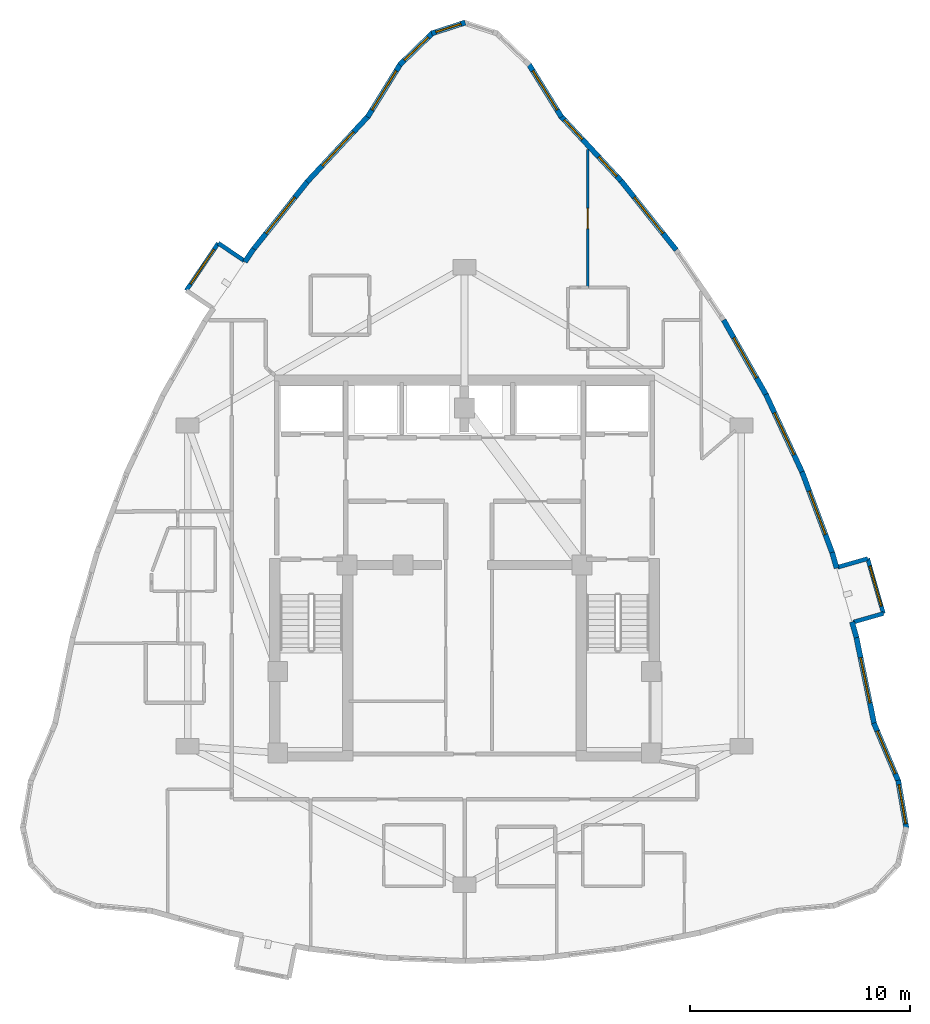
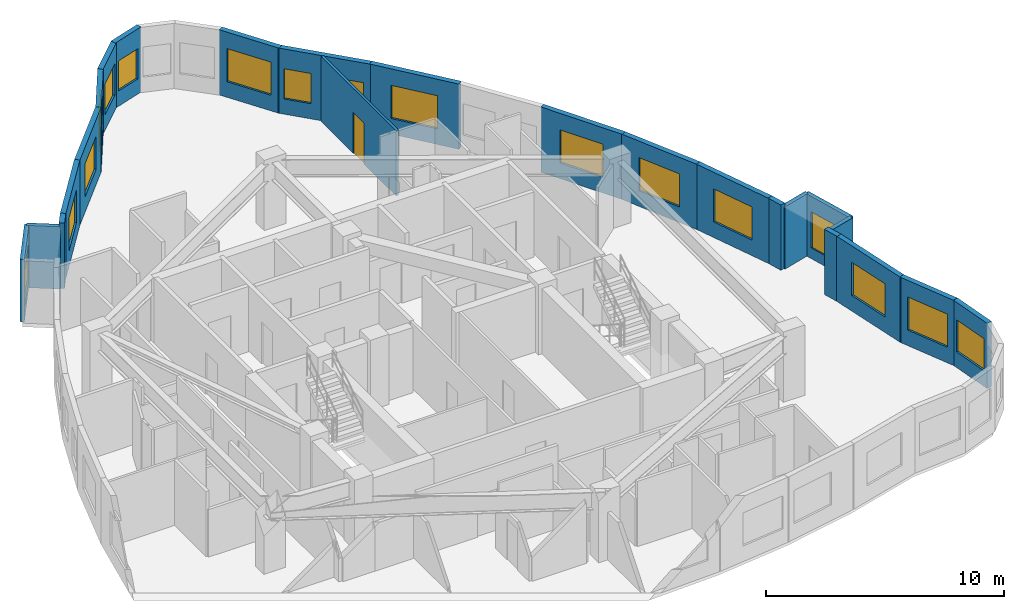
# One storey, part 11 of 13: 23 walls, 17 windows, 1 door, 18 openings.
"""IFC4 building model written with IfcOpenShell, lengths in metres."""

from ifc_helpers import new_model, si_unit, direction, frame, frame_2d, origin, place, context, subcontext, project, spatial, rectangle, extrude, material, layer, layer_set, type_object, element, fill, save


model = new_model("IFC4")

# Units and contexts
model_context = context("Model", 3, precision=1e-05, world=origin(), true_north=direction((0.0, 1.0)))
body_context = subcontext(model_context, "Body", "Model", "MODEL_VIEW")
ifc_project = project(units=[si_unit("LENGTHUNIT", "METRE"), si_unit("AREAUNIT", "SQUARE_METRE"), si_unit("VOLUMEUNIT", "CUBIC_METRE"), si_unit("PLANEANGLEUNIT", "RADIAN"), si_unit("MASSUNIT", "GRAM", prefix="KILO")], contexts=[model_context])

# Site, building, storey
site_placement = place(None, origin())
site = spatial("IfcSite", under=ifc_project, at=site_placement, CompositionType="ELEMENT")
building_placement = place(site_placement, origin())
building = spatial("IfcBuilding", under=site, at=building_placement, Name="Miruveldt Soraemaru", CompositionType="ELEMENT")
storey_placement = place(building_placement, frame((0.0, 0.0, 205.199951171875)))
storey = spatial("IfcBuildingStorey", under=building, at=storey_placement, Name="L56", CompositionType="ELEMENT", Elevation=205.199951171875)

# Wall
ifc_material_1 = material(Name="White powder-coated aluminium EN AW-6060 T6", Category="aluminium")
ifc_layer_1 = layer(ifc_material_1, 0.18994140625, Name="White powder-coated aluminium EN AW-6060 T6", Category="aluminium")
ifc_layer_set_1 = layer_set([ifc_layer_1], Name="White powder-coated aluminium EN AW-6060 T6")
wall_type_1 = type_object("IfcWallType", Name="WALL-BAY-ALU190", PredefinedType="SOLIDWALL", material=ifc_layer_set_1)
wall_1_placement = place(storey_placement, frame((33.971435546875, 57.900146484375, 0.0), z_axis=(0.0, 0.0, 1.0), x_axis=(-0.827916124573, 0.56085193293, 0.0)))
element("IfcWall", 1, at=wall_1_placement, inside=storey, type_object=wall_type_1, Name="L56 Bay Window Side Cheek 1L", PredefinedType="SOLIDWALL", context=body_context, shape_type="SweptSolid", body=[
    extrude(rectangle(XDim=1.42529296875, YDim=0.18994140625, at=frame_2d((0.712646484375, 0.0))), origin(), (0.0, 0.0, 1.0), 3.195068359375),
])

# Wall, opening, window
wall_2_placement = place(storey_placement, frame((32.79150390625, 58.699462890625, 0.0), z_axis=(0.0, 0.0, 1.0), x_axis=(-0.560839839126, -0.827924317102, 0.0)))
wall_2 = element("IfcWall", 2, at=wall_2_placement, inside=storey, type_object=wall_type_1, Name="L56 Bay Window Front Frame 1", PredefinedType="SOLIDWALL", context=body_context, shape_type="SweptSolid", body=[
    extrude(rectangle(XDim=2.599609375, YDim=0.18994140625, at=frame_2d((1.2998046875, 0.0))), origin(), (0.0, 0.0, 1.0), 3.195068359375),
])
opening_1_placement = place(wall_2_placement, frame((0.35009765625, 0.0, 0.550048828125)))
opening_1 = element("IfcOpeningElement", 3, at=opening_1_placement, cuts=wall_2, Name="Opening WN-6", PredefinedType="OPENING", context=body_context, shape_type="SweptSolid", body=[
    extrude(rectangle(XDim=1.89990234375, YDim=1.85009765625, at=frame_2d((0.949951171875, 0.925048828125))), frame((0.0, 0.10498046875, 0.0), z_axis=(0.0, -1.0, 0.0), x_axis=(1.0, 0.0, 0.0)), (0.0, 0.0, 1.0), 0.2099609375),
])
ifc_material_2 = material(Name="Triple low-e insulated glazing", Category="glass")
window_type_1 = type_object("IfcWindowType", Name="WIN-BAYW-1900x1850", PartitioningType="SINGLE_PANEL", PredefinedType="WINDOW", material=ifc_material_2)
window_1_placement = place(opening_1_placement, origin())
window_1 = element("IfcWindow", 4, at=window_1_placement, inside=storey, type_object=window_type_1, Name="L56 Projecting Bay Window 1", OverallHeight=1.85009765625, OverallWidth=1.89990234375, PartitioningType="SINGLE_PANEL", PredefinedType="WINDOW", context=body_context, shape_type="SweptSolid", body=[
    extrude(rectangle(XDim=1.89990234375, YDim=1.85009765625, at=frame_2d((0.949951171875, 0.925048828125))), frame((0.0, 0.030029296875, 0.0), z_axis=(0.0, -1.0, 0.0), x_axis=(1.0, 0.0, 0.0)), (0.0, 0.0, 1.0), 0.06005859375),
])
fill(opening_1, window_1)

# Walls
wall_3_placement = place(storey_placement, frame((61.69482421875, 41.451416015625, 0.0), z_axis=(0.0, 0.0, 1.0), x_axis=(0.961439844578, 0.275015318223, 0.0)))
element("IfcWall", 5, at=wall_3_placement, inside=storey, type_object=wall_type_1, Name="L56 Bay Window Side Cheek 3L", PredefinedType="SOLIDWALL", context=body_context, shape_type="SweptSolid", body=[
    extrude(rectangle(XDim=1.4248046875, YDim=0.18994140625, at=frame_2d((0.71240234375, 0.0))), origin(), (0.0, 0.0, 1.0), 3.195068359375),
])
wall_4_placement = place(storey_placement, frame((62.349853515625, 44.343017578125, 0.0), z_axis=(0.0, 0.0, 1.0), x_axis=(-0.961452801096, -0.274970018845, 0.0)))
element("IfcWall", 6, at=wall_4_placement, inside=storey, type_object=wall_type_1, Name="L56 Bay Window Side Cheek 3R", PredefinedType="SOLIDWALL", context=body_context, shape_type="SweptSolid", body=[
    extrude(rectangle(XDim=1.425048828125, YDim=0.18994140625, at=frame_2d((0.71240234375, 0.0))), origin(), (0.0, 0.0, 1.0), 3.195068359375),
])

# Wall, opening, window
wall_5_placement = place(storey_placement, frame((63.064697265625, 41.84326171875, 0.0), z_axis=(0.0, 0.0, 1.0), x_axis=(-0.274944358644, 0.961460139397, 0.0)))
wall_5 = element("IfcWall", 7, at=wall_5_placement, inside=storey, type_object=wall_type_1, Name="L56 Bay Window Front Frame 3", PredefinedType="SOLIDWALL", context=body_context, shape_type="SweptSolid", body=[
    extrude(rectangle(XDim=2.599853515625, YDim=0.18994140625, at=frame_2d((1.2998046875, 0.0))), origin(), (0.0, 0.0, 1.0), 3.195068359375),
])
opening_2_placement = place(wall_5_placement, frame((0.35009765625, 0.0, 0.550048828125)))
opening_2 = element("IfcOpeningElement", 8, at=opening_2_placement, cuts=wall_5, Name="Opening WN-6", PredefinedType="OPENING", context=body_context, shape_type="SweptSolid", body=[
    extrude(rectangle(XDim=1.89990234375, YDim=1.85009765625, at=frame_2d((0.949951171875, 0.925048828125))), frame((0.0, 0.10498046875, 0.0), z_axis=(0.0, -1.0, 0.0), x_axis=(1.0, 0.0, 0.0)), (0.0, 0.0, 1.0), 0.2099609375),
])
window_2_placement = place(opening_2_placement, origin())
window_2 = element("IfcWindow", 9, at=window_2_placement, inside=storey, type_object=window_type_1, Name="L56 Projecting Bay Window 3", OverallHeight=1.85009765625, OverallWidth=1.89990234375, PartitioningType="SINGLE_PANEL", PredefinedType="WINDOW", context=body_context, shape_type="SweptSolid", body=[
    extrude(rectangle(XDim=1.89990234375, YDim=1.85009765625, at=frame_2d((0.949951171875, 0.925048828125))), frame((0.0, 0.030029296875, 0.0), z_axis=(0.0, -1.0, 0.0), x_axis=(1.0, 0.0, 0.0)), (0.0, 0.0, 1.0), 0.06005859375),
])
fill(opening_2, window_2)

ifc_material_3 = material(Name="Precast concrete C45/55 (45 MPa)", Category="concrete")
ifc_layer_2 = layer(ifc_material_3, 0.239990234375, Name="Precast concrete C45/55 (45 MPa)", Category="concrete")
ifc_layer_set_2 = layer_set([ifc_layer_2], Name="Precast concrete C45/55 (45 MPa)")
wall_type_2 = type_object("IfcWallType", Name="WALL-EXT-PC240", PredefinedType="SOLIDWALL", material=ifc_layer_set_2)
wall_6_placement = place(storey_placement, frame((48.411376953125, 64.440185546875, 0.0), z_axis=(0.0, 0.0, 1.0), x_axis=(-0.526024676953, 0.850469305288, 0.0)))
wall_6 = element("IfcWall", 10, at=wall_6_placement, inside=storey, type_object=wall_type_2, Name="L56 Precast Concrete Facade Wall 1", PredefinedType="SOLIDWALL", context=body_context, shape_type="SweptSolid", body=[
    extrude(rectangle(XDim=2.853515625, YDim=0.239990234375, at=frame_2d((1.4267578125, 0.0))), origin(), (0.0, 0.0, 1.0), 3.344970703125),
])
opening_3_placement = place(wall_6_placement, frame((0.376953125, 0.0, 0.800048828125)))
opening_3 = element("IfcOpeningElement", 11, at=opening_3_placement, cuts=wall_6, Name="Opening WN-1", PredefinedType="OPENING", context=body_context, shape_type="SweptSolid", body=[
    extrude(rectangle(XDim=2.10009765625, YDim=1.699951171875, at=frame_2d((1.050048828125, 0.85009765625))), frame((0.0, 0.1298828125, 0.0), z_axis=(0.0, -1.0, 0.0), x_axis=(1.0, 0.0, 0.0)), (0.0, 0.0, 1.0), 0.260009765625),
])
window_type_2 = type_object("IfcWindowType", Name="WIN-PUNCH-2100x1700", PartitioningType="SINGLE_PANEL", PredefinedType="WINDOW", material=ifc_material_2)
window_3_placement = place(opening_3_placement, origin())
window_3 = element("IfcWindow", 12, at=window_3_placement, inside=storey, type_object=window_type_2, Name="L56 Punched Triple-Glazed Window 01.1", OverallHeight=1.699951171875, OverallWidth=2.10009765625, PartitioningType="SINGLE_PANEL", PredefinedType="WINDOW", context=body_context, shape_type="SweptSolid", body=[
    extrude(rectangle(XDim=2.10009765625, YDim=1.699951171875, at=frame_2d((1.050048828125, 0.85009765625))), frame((0.0, 0.030029296875, 0.0), z_axis=(0.0, -1.0, 0.0), x_axis=(1.0, 0.0, 0.0)), (0.0, 0.0, 1.0), 0.06005859375),
])
fill(opening_3, window_3)

wall_7_placement = place(storey_placement, frame((44.033203125, 68.74169921875, 0.0), z_axis=(0.0, 0.0, 1.0), x_axis=(-0.951512470803, -0.307610171981, 0.0)))
wall_7 = element("IfcWall", 13, at=wall_7_placement, inside=storey, type_object=wall_type_2, Name="L56 Precast Concrete Facade Wall 4", PredefinedType="SOLIDWALL", context=body_context, shape_type="SweptSolid", body=[
    extrude(rectangle(XDim=1.60888671875, YDim=0.239990234375, at=frame_2d((0.804443359375, 0.0))), origin(), (0.0, 0.0, 1.0), 3.344970703125),
])
opening_4_placement = place(wall_7_placement, frame((0.205078125, 0.0, 0.780029296875)))
opening_4 = element("IfcOpeningElement", 14, at=opening_4_placement, cuts=wall_7, Name="Opening WN-4", PredefinedType="OPENING", context=body_context, shape_type="SweptSolid", body=[
    extrude(rectangle(XDim=1.199951171875, YDim=1.550048828125, at=frame_2d((0.60009765625, 0.77490234375))), frame((0.0, 0.1298828125, 0.0), z_axis=(0.0, -1.0, 0.0), x_axis=(1.0, 0.0, 0.0)), (0.0, 0.0, 1.0), 0.260009765625),
])
window_type_3 = type_object("IfcWindowType", Name="WIN-PUNCH-1200x1550", PartitioningType="SINGLE_PANEL", PredefinedType="WINDOW", material=ifc_material_2)
window_4_placement = place(opening_4_placement, origin())
window_4 = element("IfcWindow", 15, at=window_4_placement, inside=storey, type_object=window_type_3, Name="L56 Punched Triple-Glazed Window 04.1", OverallHeight=1.550048828125, OverallWidth=1.199951171875, PartitioningType="SINGLE_PANEL", PredefinedType="WINDOW", context=body_context, shape_type="SweptSolid", body=[
    extrude(rectangle(XDim=1.199951171875, YDim=1.550048828125, at=frame_2d((0.60009765625, 0.77490234375))), frame((0.0, 0.030029296875, 0.0), z_axis=(0.0, -1.0, 0.0), x_axis=(1.0, 0.0, 0.0)), (0.0, 0.0, 1.0), 0.06005859375),
])
fill(opening_4, window_4)

wall_8_placement = place(storey_placement, frame((42.560791015625, 68.281982421875, 0.0), z_axis=(0.0, 0.0, 1.0), x_axis=(-0.717784741211, -0.696265082626, 0.0)))
wall_8 = element("IfcWall", 16, at=wall_8_placement, inside=storey, type_object=wall_type_2, Name="L56 Precast Concrete Facade Wall 5", PredefinedType="SOLIDWALL", context=body_context, shape_type="SweptSolid", body=[
    extrude(rectangle(XDim=2.110107421875, YDim=0.239990234375, at=frame_2d((1.05517578125, 0.0))), origin(), (0.0, 0.0, 1.0), 3.344970703125),
])
opening_5_placement = place(wall_8_placement, frame((0.304931640625, 0.0, 0.800048828125)))
opening_5 = element("IfcOpeningElement", 17, at=opening_5_placement, cuts=wall_8, Name="Opening WN-3", PredefinedType="OPENING", context=body_context, shape_type="SweptSolid", body=[
    extrude(rectangle(XDim=1.5, YDim=1.60009765625, at=frame_2d((0.75, 0.800048828125))), frame((0.0, 0.1298828125, 0.0), z_axis=(0.0, -1.0, 0.0), x_axis=(1.0, 0.0, 0.0)), (0.0, 0.0, 1.0), 0.260009765625),
])
window_type_4 = type_object("IfcWindowType", Name="WIN-PUNCH-1500x1600", PartitioningType="SINGLE_PANEL", PredefinedType="WINDOW", material=ifc_material_2)
window_5_placement = place(opening_5_placement, origin())
window_5 = element("IfcWindow", 18, at=window_5_placement, inside=storey, type_object=window_type_4, Name="L56 Punched Triple-Glazed Window 05.1", OverallHeight=1.60009765625, OverallWidth=1.5, PartitioningType="SINGLE_PANEL", PredefinedType="WINDOW", context=body_context, shape_type="SweptSolid", body=[
    extrude(rectangle(XDim=1.5, YDim=1.60009765625, at=frame_2d((0.75, 0.800048828125))), frame((0.0, 0.030029296875, 0.0), z_axis=(0.0, -1.0, 0.0), x_axis=(1.0, 0.0, 0.0)), (0.0, 0.0, 1.0), 0.06005859375),
])
fill(opening_5, window_5)

wall_9_placement = place(storey_placement, frame((41.089599609375, 66.866943359375, 0.0), z_axis=(0.0, 0.0, 1.0), x_axis=(-0.526024676953, -0.850469305288, 0.0)))
wall_9 = element("IfcWall", 19, at=wall_9_placement, inside=storey, type_object=wall_type_2, Name="L56 Precast Concrete Facade Wall 6", PredefinedType="SOLIDWALL", context=body_context, shape_type="SweptSolid", body=[
    extrude(rectangle(XDim=2.853515625, YDim=0.239990234375, at=frame_2d((1.4267578125, 0.0))), origin(), (0.0, 0.0, 1.0), 3.344970703125),
])
opening_6_placement = place(wall_9_placement, frame((0.376953125, 0.0, 0.800048828125)))
opening_6 = element("IfcOpeningElement", 20, at=opening_6_placement, cuts=wall_9, Name="Opening WN-1", PredefinedType="OPENING", context=body_context, shape_type="SweptSolid", body=[
    extrude(rectangle(XDim=2.10009765625, YDim=1.699951171875, at=frame_2d((1.050048828125, 0.85009765625))), frame((0.0, 0.1298828125, 0.0), z_axis=(0.0, -1.0, 0.0), x_axis=(1.0, 0.0, 0.0)), (0.0, 0.0, 1.0), 0.260009765625),
])
window_6_placement = place(opening_6_placement, origin())
window_6 = element("IfcWindow", 21, at=window_6_placement, inside=storey, type_object=window_type_2, Name="L56 Punched Triple-Glazed Window 06.1", OverallHeight=1.699951171875, OverallWidth=2.10009765625, PartitioningType="SINGLE_PANEL", PredefinedType="WINDOW", context=body_context, shape_type="SweptSolid", body=[
    extrude(rectangle(XDim=2.10009765625, YDim=1.699951171875, at=frame_2d((1.050048828125, 0.85009765625))), frame((0.0, 0.030029296875, 0.0), z_axis=(0.0, -1.0, 0.0), x_axis=(1.0, 0.0, 0.0)), (0.0, 0.0, 1.0), 0.06005859375),
])
fill(opening_6, window_6)

wall_10_placement = place(storey_placement, frame((39.630859375, 64.49560546875, 0.0), z_axis=(0.0, 0.0, 1.0), x_axis=(-0.68089787868, -0.732378371341, 0.0)))
wall_10 = element("IfcWall", 22, at=wall_10_placement, inside=storey, type_object=wall_type_2, Name="L56 Precast Concrete Facade Wall 7", PredefinedType="SOLIDWALL", context=body_context, shape_type="SweptSolid", body=[
    extrude(rectangle(XDim=4.10693359375, YDim=0.239990234375, at=frame_2d((2.053466796875, 0.0))), origin(), (0.0, 0.0, 1.0), 3.344970703125),
])
opening_7_placement = place(wall_10_placement, frame((1.00390625, 0.0, 0.800048828125)))
opening_7 = element("IfcOpeningElement", 23, at=opening_7_placement, cuts=wall_10, Name="Opening WN-1", PredefinedType="OPENING", context=body_context, shape_type="SweptSolid", body=[
    extrude(rectangle(XDim=2.10009765625, YDim=1.699951171875, at=frame_2d((1.050048828125, 0.85009765625))), frame((0.0, 0.1298828125, 0.0), z_axis=(0.0, -1.0, 0.0), x_axis=(1.0, 0.0, 0.0)), (0.0, 0.0, 1.0), 0.260009765625),
])
window_7_placement = place(opening_7_placement, origin())
window_7 = element("IfcWindow", 24, at=window_7_placement, inside=storey, type_object=window_type_2, Name="L56 Punched Triple-Glazed Window 07.1", OverallHeight=1.699951171875, OverallWidth=2.10009765625, PartitioningType="SINGLE_PANEL", PredefinedType="WINDOW", context=body_context, shape_type="SweptSolid", body=[
    extrude(rectangle(XDim=2.10009765625, YDim=1.699951171875, at=frame_2d((1.050048828125, 0.85009765625))), frame((0.0, 0.030029296875, 0.0), z_axis=(0.0, -1.0, 0.0), x_axis=(1.0, 0.0, 0.0)), (0.0, 0.0, 1.0), 0.06005859375),
])
fill(opening_7, window_7)

wall_11_placement = place(storey_placement, frame((36.8798828125, 61.540771484375, 0.0), z_axis=(0.0, 0.0, 1.0), x_axis=(-0.623580098118, -0.781759465073, 0.0)))
wall_11 = element("IfcWall", 25, at=wall_11_placement, inside=storey, type_object=wall_type_2, Name="L56 Precast Concrete Facade Wall 8", PredefinedType="SOLIDWALL", context=body_context, shape_type="SweptSolid", body=[
    extrude(rectangle(XDim=4.03466796875, YDim=0.239990234375, at=frame_2d((2.017333984375, 0.0))), origin(), (0.0, 0.0, 1.0), 3.344970703125),
])
opening_8_placement = place(wall_11_placement, frame((0.968017578125, 0.0, 0.800048828125)))
opening_8 = element("IfcOpeningElement", 26, at=opening_8_placement, cuts=wall_11, Name="Opening WN-1", PredefinedType="OPENING", context=body_context, shape_type="SweptSolid", body=[
    extrude(rectangle(XDim=2.10009765625, YDim=1.699951171875, at=frame_2d((1.050048828125, 0.85009765625))), frame((0.0, 0.1298828125, 0.0), z_axis=(0.0, -1.0, 0.0), x_axis=(1.0, 0.0, 0.0)), (0.0, 0.0, 1.0), 0.260009765625),
])
window_8_placement = place(opening_8_placement, origin())
window_8 = element("IfcWindow", 27, at=window_8_placement, inside=storey, type_object=window_type_2, Name="L56 Punched Triple-Glazed Window 08.1", OverallHeight=1.699951171875, OverallWidth=2.10009765625, PartitioningType="SINGLE_PANEL", PredefinedType="WINDOW", context=body_context, shape_type="SweptSolid", body=[
    extrude(rectangle(XDim=2.10009765625, YDim=1.699951171875, at=frame_2d((1.050048828125, 0.85009765625))), frame((0.0, 0.030029296875, 0.0), z_axis=(0.0, -1.0, 0.0), x_axis=(1.0, 0.0, 0.0)), (0.0, 0.0, 1.0), 0.06005859375),
])
fill(opening_8, window_8)

# Wall
wall_12_placement = place(storey_placement, frame((34.405517578125, 58.443115234375, 0.0), z_axis=(0.0, 0.0, 1.0), x_axis=(-0.560840679223, -0.827923748016, 0.0)))
element("IfcWall", 28, at=wall_12_placement, inside=storey, type_object=wall_type_2, Name="L56 Precast Pier Wall 9A", PredefinedType="SOLIDWALL", context=body_context, shape_type="SweptSolid", body=[
    extrude(rectangle(XDim=0.72314453125, YDim=0.239990234375, at=frame_2d((0.361572265625, 0.0))), origin(), (0.0, 0.0, 1.0), 3.344970703125),
])

# Wall, opening, window
wall_13_placement = place(storey_placement, frame((64.113525390625, 32.05712890625, 0.0), z_axis=(0.0, 0.0, 1.0), x_axis=(-0.169346387862, 0.985556594477, 0.0)))
wall_13 = element("IfcWall", 29, at=wall_13_placement, inside=storey, type_object=wall_type_2, Name="L56 Precast Concrete Facade Wall 33", PredefinedType="SOLIDWALL", context=body_context, shape_type="SweptSolid", body=[
    extrude(rectangle(XDim=2.231689453125, YDim=0.239990234375, at=frame_2d((1.11572265625, 0.0))), origin(), (0.0, 0.0, 1.0), 3.344970703125),
])
opening_9_placement = place(wall_13_placement, frame((0.216064453125, 0.0, 0.800048828125)))
opening_9 = element("IfcOpeningElement", 30, at=opening_9_placement, cuts=wall_13, Name="Opening WN-2", PredefinedType="OPENING", context=body_context, shape_type="SweptSolid", body=[
    extrude(rectangle(XDim=1.800048828125, YDim=1.64990234375, at=frame_2d((0.89990234375, 0.824951171875))), frame((0.0, 0.1298828125, 0.0), z_axis=(0.0, -1.0, 0.0), x_axis=(1.0, 0.0, 0.0)), (0.0, 0.0, 1.0), 0.260009765625),
])
window_type_5 = type_object("IfcWindowType", Name="WIN-PUNCH-1800x1650", PartitioningType="SINGLE_PANEL", PredefinedType="WINDOW", material=ifc_material_2)
window_9_placement = place(opening_9_placement, origin())
window_9 = element("IfcWindow", 31, at=window_9_placement, inside=storey, type_object=window_type_5, Name="L56 Punched Triple-Glazed Window 33.1", OverallHeight=1.64990234375, OverallWidth=1.800048828125, PartitioningType="SINGLE_PANEL", PredefinedType="WINDOW", context=body_context, shape_type="SweptSolid", body=[
    extrude(rectangle(XDim=1.800048828125, YDim=1.64990234375, at=frame_2d((0.89990234375, 0.824951171875))), frame((0.0, 0.030029296875, 0.0), z_axis=(0.0, -1.0, 0.0), x_axis=(1.0, 0.0, 0.0)), (0.0, 0.0, 1.0), 0.06005859375),
])
fill(opening_9, window_9)

wall_14_placement = place(storey_placement, frame((63.755126953125, 34.18994140625, 0.0), z_axis=(0.0, 0.0, 1.0), x_axis=(-0.38865241966, 0.921384445654, 0.0)))
wall_14 = element("IfcWall", 32, at=wall_14_placement, inside=storey, type_object=wall_type_2, Name="L56 Precast Concrete Facade Wall 34", PredefinedType="SOLIDWALL", context=body_context, shape_type="SweptSolid", body=[
    extrude(rectangle(XDim=2.895751953125, YDim=0.239990234375, at=frame_2d((1.44775390625, 0.0))), origin(), (0.0, 0.0, 1.0), 3.344970703125),
])
opening_10_placement = place(wall_14_placement, frame((0.39794921875, 0.0, 0.800048828125)))
opening_10 = element("IfcOpeningElement", 33, at=opening_10_placement, cuts=wall_14, Name="Opening WN-1", PredefinedType="OPENING", context=body_context, shape_type="SweptSolid", body=[
    extrude(rectangle(XDim=2.10009765625, YDim=1.699951171875, at=frame_2d((1.050048828125, 0.85009765625))), frame((0.0, 0.1298828125, 0.0), z_axis=(0.0, -1.0, 0.0), x_axis=(1.0, 0.0, 0.0)), (0.0, 0.0, 1.0), 0.260009765625),
])
window_10_placement = place(opening_10_placement, origin())
window_10 = element("IfcWindow", 34, at=window_10_placement, inside=storey, type_object=window_type_2, Name="L56 Punched Triple-Glazed Window 34.1", OverallHeight=1.699951171875, OverallWidth=2.10009765625, PartitioningType="SINGLE_PANEL", PredefinedType="WINDOW", context=body_context, shape_type="SweptSolid", body=[
    extrude(rectangle(XDim=2.10009765625, YDim=1.699951171875, at=frame_2d((1.050048828125, 0.85009765625))), frame((0.0, 0.030029296875, 0.0), z_axis=(0.0, -1.0, 0.0), x_axis=(1.0, 0.0, 0.0)), (0.0, 0.0, 1.0), 0.06005859375),
])
fill(opening_10, window_10)

wall_15_placement = place(storey_placement, frame((62.650390625, 36.791748046875, 0.0), z_axis=(0.0, 0.0, 1.0), x_axis=(-0.2015657063, 0.979474995109, 0.0)))
wall_15 = element("IfcWall", 35, at=wall_15_placement, inside=storey, type_object=wall_type_2, Name="L56 Precast Concrete Facade Wall 35", PredefinedType="SOLIDWALL", context=body_context, shape_type="SweptSolid", body=[
    extrude(rectangle(XDim=4.107177734375, YDim=0.239990234375, at=frame_2d((2.0537109375, 0.0))), origin(), (0.0, 0.0, 1.0), 3.344970703125),
])
opening_11_placement = place(wall_15_placement, frame((1.00390625, 0.0, 0.800048828125)))
opening_11 = element("IfcOpeningElement", 36, at=opening_11_placement, cuts=wall_15, Name="Opening WN-1", PredefinedType="OPENING", context=body_context, shape_type="SweptSolid", body=[
    extrude(rectangle(XDim=2.10009765625, YDim=1.699951171875, at=frame_2d((1.050048828125, 0.85009765625))), frame((0.0, 0.1298828125, 0.0), z_axis=(0.0, -1.0, 0.0), x_axis=(1.0, 0.0, 0.0)), (0.0, 0.0, 1.0), 0.260009765625),
])
window_11_placement = place(opening_11_placement, origin())
window_11 = element("IfcWindow", 37, at=window_11_placement, inside=storey, type_object=window_type_2, Name="L56 Punched Triple-Glazed Window 35.1", OverallHeight=1.699951171875, OverallWidth=2.10009765625, PartitioningType="SINGLE_PANEL", PredefinedType="WINDOW", context=body_context, shape_type="SweptSolid", body=[
    extrude(rectangle(XDim=2.10009765625, YDim=1.699951171875, at=frame_2d((1.050048828125, 0.85009765625))), frame((0.0, 0.030029296875, 0.0), z_axis=(0.0, -1.0, 0.0), x_axis=(1.0, 0.0, 0.0)), (0.0, 0.0, 1.0), 0.06005859375),
])
fill(opening_11, window_11)

# Walls
for number, where, z_axis, x_axis, name in (
    (38, (61.839111328125, 40.74658203125, 0.0), (0.0, 0.0, 1.0), (-0.274764278182, 0.961511617941, 0.0), "L56 Precast Pier Wall 36A"),
    (39, (60.93505859375, 43.9072265625, 0.0), (0.0, 0.0, 1.0), (-0.274764278182, 0.961511617941, 0.0), "L56 Precast Pier Wall 36B"),
):
    element("IfcWall", number, at=place(storey_placement, frame(where, z_axis=z_axis, x_axis=x_axis)), inside=storey, type_object=wall_type_2, Name=name, PredefinedType="SOLIDWALL", context=body_context, shape_type="SweptSolid", body=[
        extrude(rectangle(XDim=0.747314453125, YDim=0.239990234375, at=frame_2d((0.37353515625, 0.0))), origin(), (0.0, 0.0, 1.0), 3.344970703125),
    ])

# Wall, opening, window
wall_16_placement = place(storey_placement, frame((60.75146484375, 44.55908203125, 0.0), z_axis=(0.0, 0.0, 1.0), x_axis=(-0.348967690972, 0.937134755869, 0.0)))
wall_16 = element("IfcWall", 40, at=wall_16_placement, inside=storey, type_object=wall_type_2, Name="L56 Precast Concrete Facade Wall 37", PredefinedType="SOLIDWALL", context=body_context, shape_type="SweptSolid", body=[
    extrude(rectangle(XDim=3.985595703125, YDim=0.239990234375, at=frame_2d((1.99267578125, 0.0))), origin(), (0.0, 0.0, 1.0), 3.344970703125),
])
opening_12_placement = place(wall_16_placement, frame((0.943115234375, 0.0, 0.800048828125)))
opening_12 = element("IfcOpeningElement", 41, at=opening_12_placement, cuts=wall_16, Name="Opening WN-1", PredefinedType="OPENING", context=body_context, shape_type="SweptSolid", body=[
    extrude(rectangle(XDim=2.10009765625, YDim=1.699951171875, at=frame_2d((1.050048828125, 0.85009765625))), frame((0.0, 0.1298828125, 0.0), z_axis=(0.0, -1.0, 0.0), x_axis=(1.0, 0.0, 0.0)), (0.0, 0.0, 1.0), 0.260009765625),
])
window_12_placement = place(opening_12_placement, origin())
window_12 = element("IfcWindow", 42, at=window_12_placement, inside=storey, type_object=window_type_2, Name="L56 Punched Triple-Glazed Window 37.1", OverallHeight=1.699951171875, OverallWidth=2.10009765625, PartitioningType="SINGLE_PANEL", PredefinedType="WINDOW", context=body_context, shape_type="SweptSolid", body=[
    extrude(rectangle(XDim=2.10009765625, YDim=1.699951171875, at=frame_2d((1.050048828125, 0.85009765625))), frame((0.0, 0.030029296875, 0.0), z_axis=(0.0, -1.0, 0.0), x_axis=(1.0, 0.0, 0.0)), (0.0, 0.0, 1.0), 0.06005859375),
])
fill(opening_12, window_12)

wall_17_placement = place(storey_placement, frame((59.387451171875, 48.2294921875, 0.0), z_axis=(0.0, 0.0, 1.0), x_axis=(-0.422311701836, 0.906450675157, 0.0)))
wall_17 = element("IfcWall", 43, at=wall_17_placement, inside=storey, type_object=wall_type_2, Name="L56 Precast Concrete Facade Wall 38", PredefinedType="SOLIDWALL", context=body_context, shape_type="SweptSolid", body=[
    extrude(rectangle(XDim=3.960693359375, YDim=0.239990234375, at=frame_2d((1.98046875, 0.0))), origin(), (0.0, 0.0, 1.0), 3.344970703125),
])
opening_13_placement = place(wall_17_placement, frame((0.930908203125, 0.0, 0.800048828125)))
opening_13 = element("IfcOpeningElement", 44, at=opening_13_placement, cuts=wall_17, Name="Opening WN-1", PredefinedType="OPENING", context=body_context, shape_type="SweptSolid", body=[
    extrude(rectangle(XDim=2.10009765625, YDim=1.699951171875, at=frame_2d((1.050048828125, 0.85009765625))), frame((0.0, 0.1298828125, 0.0), z_axis=(0.0, -1.0, 0.0), x_axis=(1.0, 0.0, 0.0)), (0.0, 0.0, 1.0), 0.260009765625),
])
window_13_placement = place(opening_13_placement, origin())
window_13 = element("IfcWindow", 45, at=window_13_placement, inside=storey, type_object=window_type_2, Name="L56 Punched Triple-Glazed Window 38.1", OverallHeight=1.699951171875, OverallWidth=2.10009765625, PartitioningType="SINGLE_PANEL", PredefinedType="WINDOW", context=body_context, shape_type="SweptSolid", body=[
    extrude(rectangle(XDim=2.10009765625, YDim=1.699951171875, at=frame_2d((1.050048828125, 0.85009765625))), frame((0.0, 0.030029296875, 0.0), z_axis=(0.0, -1.0, 0.0), x_axis=(1.0, 0.0, 0.0)), (0.0, 0.0, 1.0), 0.06005859375),
])
fill(opening_13, window_13)

wall_18_placement = place(storey_placement, frame((57.7470703125, 51.757568359375, 0.0), z_axis=(0.0, 0.0, 1.0), x_axis=(-0.493374910117, 0.869816761202, 0.0)))
wall_18 = element("IfcWall", 46, at=wall_18_placement, inside=storey, type_object=wall_type_2, Name="L56 Precast Concrete Facade Wall 39", PredefinedType="SOLIDWALL", context=body_context, shape_type="SweptSolid", body=[
    extrude(rectangle(XDim=3.960693359375, YDim=0.239990234375, at=frame_2d((1.98046875, 0.0))), origin(), (0.0, 0.0, 1.0), 3.344970703125),
])
opening_14_placement = place(wall_18_placement, frame((0.930908203125, 0.0, 0.800048828125)))
opening_14 = element("IfcOpeningElement", 47, at=opening_14_placement, cuts=wall_18, Name="Opening WN-1", PredefinedType="OPENING", context=body_context, shape_type="SweptSolid", body=[
    extrude(rectangle(XDim=2.10009765625, YDim=1.699951171875, at=frame_2d((1.050048828125, 0.85009765625))), frame((0.0, 0.1298828125, 0.0), z_axis=(0.0, -1.0, 0.0), x_axis=(1.0, 0.0, 0.0)), (0.0, 0.0, 1.0), 0.260009765625),
])
window_14_placement = place(opening_14_placement, origin())
window_14 = element("IfcWindow", 48, at=window_14_placement, inside=storey, type_object=window_type_2, Name="L56 Punched Triple-Glazed Window 39.1", OverallHeight=1.699951171875, OverallWidth=2.10009765625, PartitioningType="SINGLE_PANEL", PredefinedType="WINDOW", context=body_context, shape_type="SweptSolid", body=[
    extrude(rectangle(XDim=2.10009765625, YDim=1.699951171875, at=frame_2d((1.050048828125, 0.85009765625))), frame((0.0, 0.030029296875, 0.0), z_axis=(0.0, -1.0, 0.0), x_axis=(1.0, 0.0, 0.0)), (0.0, 0.0, 1.0), 0.06005859375),
])
fill(opening_14, window_14)

wall_19_placement = place(storey_placement, frame((53.635986328125, 58.38671875, 0.0), z_axis=(0.0, 0.0, 1.0), x_axis=(-0.623580098118, 0.781759465073, 0.0)))
wall_19 = element("IfcWall", 49, at=wall_19_placement, inside=storey, type_object=wall_type_2, Name="L56 Precast Concrete Facade Wall 41", PredefinedType="SOLIDWALL", context=body_context, shape_type="SweptSolid", body=[
    extrude(rectangle(XDim=4.03466796875, YDim=0.239990234375, at=frame_2d((2.017333984375, 0.0))), origin(), (0.0, 0.0, 1.0), 3.344970703125),
])
opening_15_placement = place(wall_19_placement, frame((0.968017578125, 0.0, 0.800048828125)))
opening_15 = element("IfcOpeningElement", 50, at=opening_15_placement, cuts=wall_19, Name="Opening WN-1", PredefinedType="OPENING", context=body_context, shape_type="SweptSolid", body=[
    extrude(rectangle(XDim=2.10009765625, YDim=1.699951171875, at=frame_2d((1.050048828125, 0.85009765625))), frame((0.0, 0.1298828125, 0.0), z_axis=(0.0, -1.0, 0.0), x_axis=(1.0, 0.0, 0.0)), (0.0, 0.0, 1.0), 0.260009765625),
])
window_15_placement = place(opening_15_placement, origin())
window_15 = element("IfcWindow", 51, at=window_15_placement, inside=storey, type_object=window_type_2, Name="L56 Punched Triple-Glazed Window 41.1", OverallHeight=1.699951171875, OverallWidth=2.10009765625, PartitioningType="SINGLE_PANEL", PredefinedType="WINDOW", context=body_context, shape_type="SweptSolid", body=[
    extrude(rectangle(XDim=2.10009765625, YDim=1.699951171875, at=frame_2d((1.050048828125, 0.85009765625))), frame((0.0, 0.030029296875, 0.0), z_axis=(0.0, -1.0, 0.0), x_axis=(1.0, 0.0, 0.0)), (0.0, 0.0, 1.0), 0.06005859375),
])
fill(opening_15, window_15)

# Wall, openings, windows
wall_20_placement = place(storey_placement, frame((51.16552734375, 61.48779296875, 0.0), z_axis=(0.0, 0.0, 1.0), x_axis=(-0.68089787868, 0.732378371341, 0.0)))
wall_20 = element("IfcWall", 52, at=wall_20_placement, inside=storey, type_object=wall_type_2, Name="L56 Precast Concrete Facade Wall 42", PredefinedType="SOLIDWALL", context=body_context, shape_type="SweptSolid", body=[
    extrude(rectangle(XDim=4.10693359375, YDim=0.239990234375, at=frame_2d((2.053466796875, 0.0))), origin(), (0.0, 0.0, 1.0), 3.344970703125),
])
opening_16_placement = place(wall_20_placement, frame((0.35498046875, 0.0, 0.780029296875)))
opening_16 = element("IfcOpeningElement", 53, at=opening_16_placement, cuts=wall_20, Name="Opening WN-4", PredefinedType="OPENING", context=body_context, shape_type="SweptSolid", body=[
    extrude(rectangle(XDim=1.199951171875, YDim=1.550048828125, at=frame_2d((0.60009765625, 0.77490234375))), frame((0.0, 0.1298828125, 0.0), z_axis=(0.0, -1.0, 0.0), x_axis=(1.0, 0.0, 0.0)), (0.0, 0.0, 1.0), 0.260009765625),
])
opening_17_placement = place(wall_20_placement, frame((2.64794921875, 0.0, 0.780029296875)))
opening_17 = element("IfcOpeningElement", 54, at=opening_17_placement, cuts=wall_20, Name="Opening WN-4", PredefinedType="OPENING", context=body_context, shape_type="SweptSolid", body=[
    extrude(rectangle(XDim=1.199951171875, YDim=1.550048828125, at=frame_2d((0.60009765625, 0.77490234375))), frame((0.0, 0.1298828125, 0.0), z_axis=(0.0, -1.0, 0.0), x_axis=(1.0, 0.0, 0.0)), (0.0, 0.0, 1.0), 0.260009765625),
])
window_16_placement = place(opening_16_placement, origin())
window_16 = element("IfcWindow", 55, at=window_16_placement, inside=storey, type_object=window_type_3, Name="L56 Punched Triple-Glazed Window 42.1", OverallHeight=1.550048828125, OverallWidth=1.199951171875, PartitioningType="SINGLE_PANEL", PredefinedType="WINDOW", context=body_context, shape_type="SweptSolid", body=[
    extrude(rectangle(XDim=1.199951171875, YDim=1.550048828125, at=frame_2d((0.60009765625, 0.77490234375))), frame((0.0, 0.030029296875, 0.0), z_axis=(0.0, -1.0, 0.0), x_axis=(1.0, 0.0, 0.0)), (0.0, 0.0, 1.0), 0.06005859375),
])
fill(opening_16, window_16)
window_17_placement = place(opening_17_placement, origin())
window_17 = element("IfcWindow", 56, at=window_17_placement, inside=storey, type_object=window_type_3, Name="L56 Punched Triple-Glazed Window 42.2", OverallHeight=1.550048828125, OverallWidth=1.199951171875, PartitioningType="SINGLE_PANEL", PredefinedType="WINDOW", context=body_context, shape_type="SweptSolid", body=[
    extrude(rectangle(XDim=1.199951171875, YDim=1.550048828125, at=frame_2d((0.60009765625, 0.77490234375))), frame((0.0, 0.030029296875, 0.0), z_axis=(0.0, -1.0, 0.0), x_axis=(1.0, 0.0, 0.0)), (0.0, 0.0, 1.0), 0.06005859375),
])
fill(opening_17, window_17)

# Wall, opening, door
ifc_material_4 = material(Name="Gypsum plasterboard lining", Category="gypsum")
ifc_layer_3 = layer(ifc_material_4, 0.1201171875, Name="Gypsum plasterboard lining", Category="gypsum")
ifc_layer_set_3 = layer_set([ifc_layer_3], Name="Gypsum plasterboard lining")
wall_type_3 = type_object("IfcWallType", Name="WALL-INT-P120", PredefinedType="PARTITIONING", material=ifc_layer_set_3)
wall_21_placement = place(storey_placement, frame((49.60302734375, 56.679931640625, 0.0), z_axis=(0.0, 0.0, 1.0), x_axis=(0.0, 1.0, 0.0)))
wall_21 = element("IfcWall", 57, at=wall_21_placement, inside=storey, type_object=wall_type_3, Name="L56 Partition Wall 20", PredefinedType="PARTITIONING", context=body_context, shape_type="SweptSolid", body=[
    extrude(rectangle(XDim=6.2900390625, YDim=0.1201171875, at=frame_2d((3.14501953125, 0.0))), origin(), (0.0, 0.0, 1.0), 3.344970703125),
])
opening_18_placement = place(wall_21_placement, frame((2.68505859375, 0.0, 0.0)))
opening_18 = element("IfcOpeningElement", 58, at=opening_18_placement, cuts=wall_21, Name="Opening D3A", PredefinedType="OPENING", context=body_context, shape_type="SweptSolid", body=[
    extrude(rectangle(XDim=0.919921875, YDim=2.10009765625, at=frame_2d((0.4599609375, 1.050048828125))), frame((0.0, 0.070068359375, 0.0), z_axis=(0.0, -1.0, 0.0), x_axis=(1.0, 0.0, 0.0)), (0.0, 0.0, 1.0), 0.14013671875),
])
ifc_material_5 = material(Name="Anodised aluminium EN AW-6063 T6", Category="aluminium")
door_type = type_object("IfcDoorType", Name="DOOR-INT-920", OperationType="NOTDEFINED", PredefinedType="DOOR", material=ifc_material_5)
door_placement = place(opening_18_placement, origin())
door = element("IfcDoor", 59, at=door_placement, inside=storey, type_object=door_type, Name="L56 Unit 5601 BD1 Door", OperationType="SINGLE_SWING_RIGHT", OverallHeight=2.10009765625, OverallWidth=0.919921875, PredefinedType="DOOR", context=body_context, shape_type="SweptSolid", body=[
    extrude(rectangle(XDim=0.919921875, YDim=2.10009765625, at=frame_2d((0.4599609375, 1.050048828125))), frame((0.0, 0.02490234375, 0.0), z_axis=(0.0, -1.0, 0.0), x_axis=(1.0, 0.0, 0.0)), (0.0, 0.0, 1.0), 0.050048828125),
])
fill(opening_18, door)

save(model, "model.ifc")
